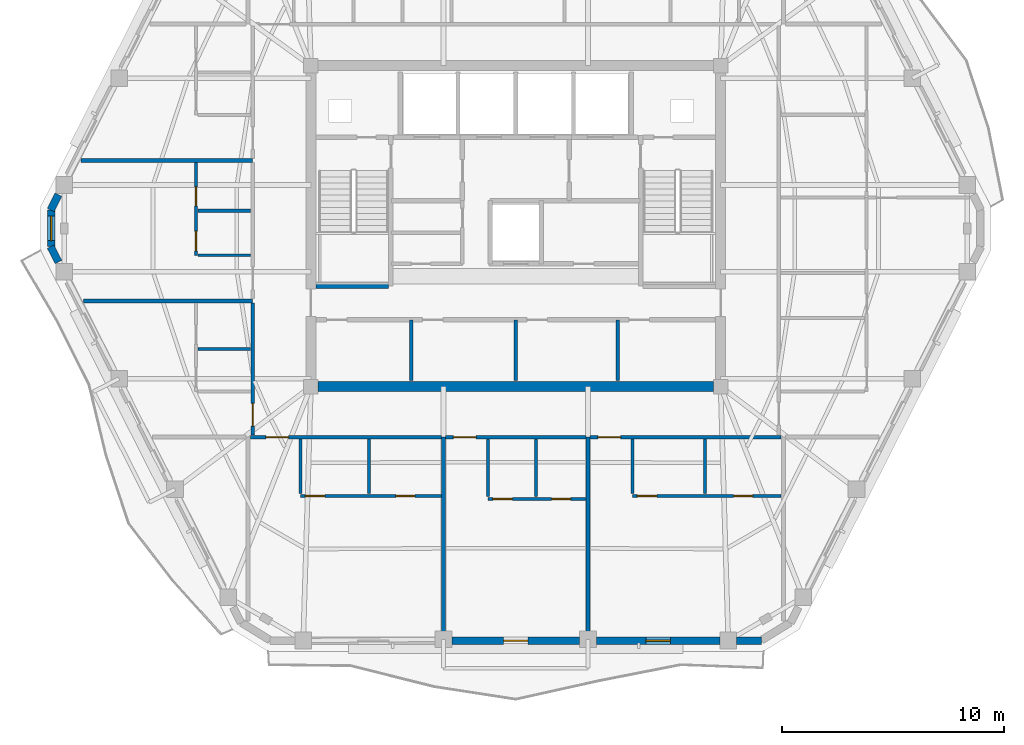
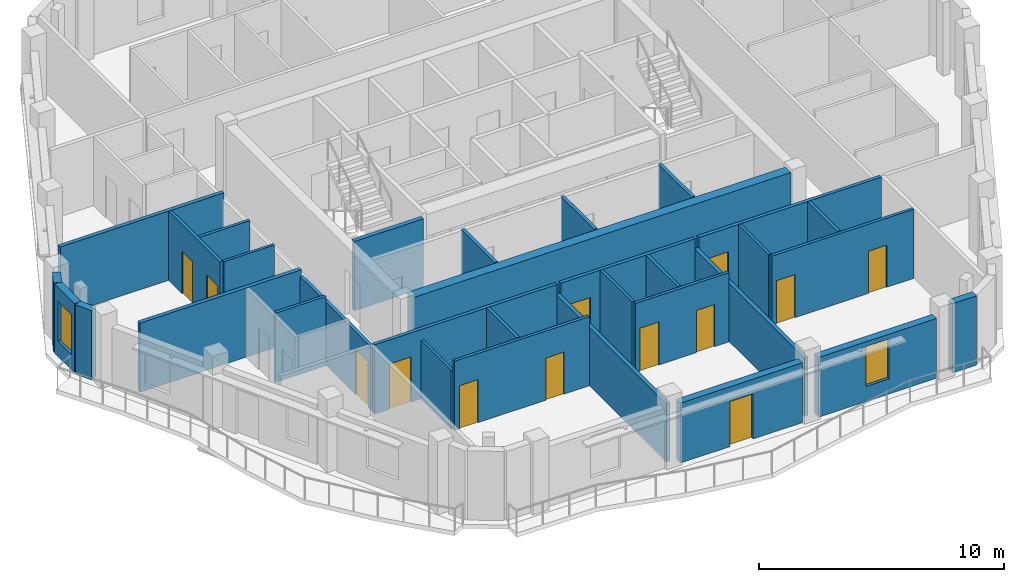
# One storey, part 4 of 11: 32 walls, 13 doors, 2 windows, 15 openings.
"""IFC4 building model written with IfcOpenShell, lengths in metres."""

from ifc_helpers import new_model, si_unit, direction, frame, frame_2d, origin, place, context, subcontext, project, spatial, rectangle, extrude, material, layer, layer_set, type_object, element, fill, save


model = new_model("IFC4")

# Units and contexts
model_context = context("Model", 3, precision=1e-05, world=origin(), true_north=direction((0.0, 1.0)))
body_context = subcontext(model_context, "Body", "Model", "MODEL_VIEW")
ifc_project = project(units=[si_unit("LENGTHUNIT", "METRE"), si_unit("AREAUNIT", "SQUARE_METRE"), si_unit("VOLUMEUNIT", "CUBIC_METRE"), si_unit("PLANEANGLEUNIT", "RADIAN"), si_unit("MASSUNIT", "GRAM", prefix="KILO")], contexts=[model_context])

# Site, building, storey
site_placement = place(None, origin())
site = spatial("IfcSite", under=ifc_project, at=site_placement, CompositionType="ELEMENT")
building_placement = place(site_placement, origin())
building = spatial("IfcBuilding", under=site, at=building_placement, Name="Cinnabar Lancet Tower", CompositionType="ELEMENT")
storey_placement = place(building_placement, frame((0.0, 0.0, 245.25)))
storey = spatial("IfcBuildingStorey", under=building, at=storey_placement, Name="L65", CompositionType="ELEMENT", Elevation=245.25)

# Walls
ifc_material_1 = material(Name="Acoustic twin-stud gypsum partition", Category="gypsum")
ifc_layer_1 = layer(ifc_material_1, 0.159912109375)
ifc_layer_set_1 = layer_set([ifc_layer_1], Name="Acoustic twin-stud gypsum partition")
wall_type_1 = type_object("IfcWallType", Name="ARC-WL-CORR-160", PredefinedType="PARTITIONING", material=ifc_layer_set_1)
for number, where, z_axis, x_axis, name in (
    (1, (27.699951171875, 18.949951171875, 0.0), (0.0, 0.0, 1.0), (0.0, 1.0, 0.0), "CW-SB-2770-L65"),
    (2, (32.39990234375, 18.949951171875, 0.0), (0.0, 0.0, 1.0), (0.0, 1.0, 0.0), "CW-SB-3240-L65"),
    (3, (37.0, 18.949951171875, 0.0), (0.0, 0.0, 1.0), (0.0, 1.0, 0.0), "CW-SB-3700-L65"),
):
    element("IfcWall", number, at=place(storey_placement, frame(where, z_axis=z_axis, x_axis=x_axis)), inside=storey, type_object=wall_type_1, Name=name, PredefinedType="PARTITIONING", context=body_context, shape_type="SweptSolid", body=[
        extrude(rectangle(XDim=2.72998046875, YDim=0.159912109375, at=frame_2d((1.364990234375, 0.0))), origin(), (0.0, 0.0, 1.0), 3.449951171875),
    ])

# Wall, opening, door
wall_1_placement = place(storey_placement, frame((20.445068359375, 16.39990234375, 0.0), z_axis=(0.0, 0.0, 1.0), x_axis=(1.0, 0.0, 0.0)))
wall_1 = element("IfcWall", 4, at=wall_1_placement, inside=storey, type_object=wall_type_1, Name="L65 Unit S01 Corridor Wall", PredefinedType="PARTITIONING", context=body_context, shape_type="SweptSolid", body=[
    extrude(rectangle(XDim=8.60595703125, YDim=0.159912109375, at=frame_2d((4.302978515625, 0.0))), origin(), (0.0, 0.0, 1.0), 3.449951171875),
])
opening_1_placement = place(wall_1_placement, frame((0.705078125, 0.0, 0.0)))
opening_1 = element("IfcOpeningElement", 5, at=opening_1_placement, cuts=wall_1, Name="Opening UD-01", PredefinedType="OPENING", context=body_context, shape_type="SweptSolid", body=[
    extrude(rectangle(XDim=1.02001953125, YDim=2.25, at=frame_2d((0.510009765625, 1.125))), frame((0.0, 0.08984375, 0.0), z_axis=(0.0, -1.0, 0.0), x_axis=(1.0, 0.0, 0.0)), (0.0, 0.0, 1.0), 0.179931640625),
])
ifc_material_2 = material(Name="Solid timber fire-rated apartment entrance door", Category="wood")
door_type_1 = type_object("IfcDoorType", Name="ARC-DR-UNIT", OperationType="NOTDEFINED", PredefinedType="DOOR", material=ifc_material_2)
door_1_placement = place(opening_1_placement, origin())
door_1 = element("IfcDoor", 6, at=door_1_placement, inside=storey, type_object=door_type_1, Name="DR-L65-S01-ENT", OperationType="SINGLE_SWING_RIGHT", OverallHeight=2.25, OverallWidth=1.02001953125, PredefinedType="DOOR", context=body_context, shape_type="SweptSolid", body=[
    extrude(rectangle(XDim=1.02001953125, YDim=2.25, at=frame_2d((0.510009765625, 1.125))), frame((0.0, 0.02490234375, 0.0), z_axis=(0.0, -1.0, 0.0), x_axis=(1.0, 0.0, 0.0)), (0.0, 0.0, 1.0), 0.050048828125),
])
fill(opening_1, door_1)

wall_2_placement = place(storey_placement, frame((29.240966796875, 16.39990234375, 0.0), z_axis=(0.0, 0.0, 1.0), x_axis=(1.0, 0.0, 0.0)))
wall_2 = element("IfcWall", 7, at=wall_2_placement, inside=storey, type_object=wall_type_1, Name="L65 Unit S02 Corridor Wall", PredefinedType="PARTITIONING", context=body_context, shape_type="SweptSolid", body=[
    extrude(rectangle(XDim=6.318115234375, YDim=0.159912109375, at=frame_2d((3.1591796875, 0.0))), origin(), (0.0, 0.0, 1.0), 3.449951171875),
])
opening_2_placement = place(wall_2_placement, frame((0.35498046875, 0.0, 0.0)))
opening_2 = element("IfcOpeningElement", 8, at=opening_2_placement, cuts=wall_2, Name="Opening UD-01", PredefinedType="OPENING", context=body_context, shape_type="SweptSolid", body=[
    extrude(rectangle(XDim=1.02001953125, YDim=2.25, at=frame_2d((0.510009765625, 1.125))), frame((0.0, 0.08984375, 0.0), z_axis=(0.0, -1.0, 0.0), x_axis=(1.0, 0.0, 0.0)), (0.0, 0.0, 1.0), 0.179931640625),
])
door_2_placement = place(opening_2_placement, origin())
door_2 = element("IfcDoor", 9, at=door_2_placement, inside=storey, type_object=door_type_1, Name="DR-L65-S02-ENT", OperationType="SINGLE_SWING_LEFT", OverallHeight=2.25, OverallWidth=1.02001953125, PredefinedType="DOOR", context=body_context, shape_type="SweptSolid", body=[
    extrude(rectangle(XDim=1.02001953125, YDim=2.25, at=frame_2d((0.510009765625, 1.125))), frame((0.0, 0.02490234375, 0.0), z_axis=(0.0, -1.0, 0.0), x_axis=(1.0, 0.0, 0.0)), (0.0, 0.0, 1.0), 0.050048828125),
])
fill(opening_2, door_2)

wall_3_placement = place(storey_placement, frame((35.7490234375, 16.39990234375, 0.0), z_axis=(0.0, 0.0, 1.0), x_axis=(1.0, 0.0, 0.0)))
wall_3 = element("IfcWall", 10, at=wall_3_placement, inside=storey, type_object=wall_type_1, Name="L65 Unit S03 Corridor Wall", PredefinedType="PARTITIONING", context=body_context, shape_type="SweptSolid", body=[
    extrude(rectangle(XDim=8.60595703125, YDim=0.159912109375, at=frame_2d((4.302978515625, 0.0))), origin(), (0.0, 0.0, 1.0), 3.449951171875),
])
opening_3_placement = place(wall_3_placement, frame((0.35498046875, 0.0, 0.0)))
opening_3 = element("IfcOpeningElement", 11, at=opening_3_placement, cuts=wall_3, Name="Opening UD-01", PredefinedType="OPENING", context=body_context, shape_type="SweptSolid", body=[
    extrude(rectangle(XDim=1.02001953125, YDim=2.25, at=frame_2d((0.510009765625, 1.125))), frame((0.0, 0.08984375, 0.0), z_axis=(0.0, -1.0, 0.0), x_axis=(1.0, 0.0, 0.0)), (0.0, 0.0, 1.0), 0.179931640625),
])
door_3_placement = place(opening_3_placement, origin())
door_3 = element("IfcDoor", 12, at=door_3_placement, inside=storey, type_object=door_type_1, Name="DR-L65-S03-ENT", OperationType="SINGLE_SWING_RIGHT", OverallHeight=2.25, OverallWidth=1.02001953125, PredefinedType="DOOR", context=body_context, shape_type="SweptSolid", body=[
    extrude(rectangle(XDim=1.02001953125, YDim=2.25, at=frame_2d((0.510009765625, 1.125))), frame((0.0, 0.02490234375, 0.0), z_axis=(0.0, -1.0, 0.0), x_axis=(1.0, 0.0, 0.0)), (0.0, 0.0, 1.0), 0.050048828125),
])
fill(opening_3, door_3)

wall_4_placement = place(storey_placement, frame((20.550048828125, 16.4951171875, 0.0), z_axis=(0.0, 0.0, 1.0), x_axis=(0.0, 1.0, 0.0)))
wall_4 = element("IfcWall", 13, at=wall_4_placement, inside=storey, type_object=wall_type_1, Name="UW-L65-W01-COR", PredefinedType="PARTITIONING", context=body_context, shape_type="SweptSolid", body=[
    extrude(rectangle(XDim=5.947998046875, YDim=0.159912109375, at=frame_2d((2.97412109375, 0.0))), origin(), (0.0, 0.0, 1.0), 3.136962890625),
])
opening_4_placement = place(wall_4_placement, frame((0.39990234375, 0.0, 0.0)))
opening_4 = element("IfcOpeningElement", 14, at=opening_4_placement, cuts=wall_4, Name="Opening UD-01", PredefinedType="OPENING", context=body_context, shape_type="SweptSolid", body=[
    extrude(rectangle(XDim=1.02001953125, YDim=2.25, at=frame_2d((0.510009765625, 1.125))), frame((0.0, 0.08984375, 0.0), z_axis=(0.0, -1.0, 0.0), x_axis=(1.0, 0.0, 0.0)), (0.0, 0.0, 1.0), 0.179931640625),
])
door_4_placement = place(opening_4_placement, origin())
door_4 = element("IfcDoor", 15, at=door_4_placement, inside=storey, type_object=door_type_1, Name="DR-L65-W01-ENT", OperationType="SINGLE_SWING_RIGHT", OverallHeight=2.25, OverallWidth=1.02001953125, PredefinedType="DOOR", context=body_context, shape_type="SweptSolid", body=[
    extrude(rectangle(XDim=1.02001953125, YDim=2.25, at=frame_2d((0.510009765625, 1.125))), frame((0.0, 0.02490234375, 0.0), z_axis=(0.0, -1.0, 0.0), x_axis=(1.0, 0.0, 0.0)), (0.0, 0.0, 1.0), 0.050048828125),
])
fill(opening_4, door_4)

# Walls
ifc_material_3 = material(Name="Fire-rated twin-frame acoustic drywall", Category="gypsum")
ifc_layer_2 = layer(ifc_material_3, 0.179931640625)
ifc_layer_set_2 = layer_set([ifc_layer_2], Name="Fire-rated twin-frame acoustic drywall")
wall_type_2 = type_object("IfcWallType", Name="ARC-WL-PARTY-180", PredefinedType="PARTITIONING", material=ifc_layer_set_2)
for number, where, z_axis, x_axis, name in (
    (16, (29.14599609375, 7.405029296875, 0.0), (0.0, 0.0, 1.0), (0.0, 1.0, 0.0), "PW-L65-SPTY-291"),
    (17, (35.654052734375, 7.405029296875, 0.0), (0.0, 0.0, 1.0), (0.0, 1.0, 0.0), "PW-L65-SPTY-357"),
):
    element("IfcWall", number, at=place(storey_placement, frame(where, z_axis=z_axis, x_axis=x_axis)), inside=storey, type_object=wall_type_2, Name=name, PredefinedType="PARTITIONING", context=body_context, shape_type="SweptSolid", body=[
        extrude(rectangle(XDim=8.994873046875, YDim=0.179931640625, at=frame_2d((4.49755859375, 0.0))), origin(), (0.0, 0.0, 1.0), 2.906982421875),
    ])
wall_5_placement = place(storey_placement, frame((12.929931640625, 22.5380859375, 0.0), z_axis=(0.0, 0.0, 1.0), x_axis=(1.0, 0.0, 0.0)))
element("IfcWall", 18, at=wall_5_placement, inside=storey, type_object=wall_type_2, Name="PW-L65-WPTY-1", PredefinedType="PARTITIONING", context=body_context, shape_type="SweptSolid", body=[
    extrude(rectangle(XDim=7.6201171875, YDim=0.179931640625, at=frame_2d((3.81005859375, 0.0))), origin(), (0.0, 0.0, 1.0), 3.449951171875),
])
wall_6_placement = place(storey_placement, frame((12.8291015625, 28.862060546875, 0.0), z_axis=(0.0, 0.0, 1.0), x_axis=(1.0, 0.0, 0.0)))
element("IfcWall", 19, at=wall_6_placement, inside=storey, type_object=wall_type_2, Name="PW-L65-WPTY-2", PredefinedType="PARTITIONING", context=body_context, shape_type="SweptSolid", body=[
    extrude(rectangle(XDim=7.720947265625, YDim=0.179931640625, at=frame_2d((3.8603515625, 0.0))), origin(), (0.0, 0.0, 1.0), 3.449951171875),
])
ifc_material_4 = material(Name="Autoclaved aerated concrete blockwork", Category="masonry")
ifc_layer_3 = layer(ifc_material_4, 0.199951171875)
ifc_layer_set_3 = layer_set([ifc_layer_3], Name="Autoclaved aerated concrete blockwork")
wall_type_3 = type_object("IfcWallType", Name="ARC-WL-SHAFT-200", PredefinedType="PLUMBINGWALL", material=ifc_layer_set_3)
wall_7_placement = place(storey_placement, frame((23.405029296875, 23.199951171875, 0.0), z_axis=(0.0, 0.0, 1.0), x_axis=(1.0, 0.0, 0.0)))
element("IfcWall", 20, at=wall_7_placement, inside=storey, type_object=wall_type_3, Name="CW-ST1S-L65", PredefinedType="PLUMBINGWALL", context=body_context, shape_type="SweptSolid", body=[
    extrude(rectangle(XDim=3.27001953125, YDim=0.199951171875, at=frame_2d((1.635009765625, 0.0))), origin(), (0.0, 0.0, 1.0), 3.449951171875),
])
ifc_material_5 = material(Name="Gypsum plasterboard stud partition", Category="gypsum")
ifc_layer_4 = layer(ifc_material_5, 0.125)
ifc_layer_set_4 = layer_set([ifc_layer_4], Name="Gypsum plasterboard stud partition")
wall_type_4 = type_object("IfcWallType", Name="ARC-WL-UNIT-125", PredefinedType="PARTITIONING", material=ifc_layer_set_4)
wall_8_placement = place(storey_placement, frame((22.699951171875, 13.85498046875, 0.0), z_axis=(0.0, 0.0, 1.0), x_axis=(0.0, 1.0, 0.0)))
element("IfcWall", 21, at=wall_8_placement, inside=storey, type_object=wall_type_4, Name="UW-L65-S01-FOYE", PredefinedType="PARTITIONING", context=body_context, shape_type="SweptSolid", body=[
    extrude(rectangle(XDim=2.4599609375, YDim=0.125, at=frame_2d((1.22998046875, 0.0))), origin(), (0.0, 0.0, 1.0), 2.906982421875),
])
wall_9_placement = place(storey_placement, frame((31.14599609375, 13.717041015625, 0.0), z_axis=(0.0, 0.0, 1.0), x_axis=(0.0, 1.0, 0.0)))
element("IfcWall", 22, at=wall_9_placement, inside=storey, type_object=wall_type_4, Name="UW-L65-S02-FOYE", PredefinedType="PARTITIONING", context=body_context, shape_type="SweptSolid", body=[
    extrude(rectangle(XDim=2.597900390625, YDim=0.125, at=frame_2d((1.298828125, 0.0))), origin(), (0.0, 0.0, 1.0), 3.449951171875),
])
wall_10_placement = place(storey_placement, frame((37.654052734375, 13.85498046875, 0.0), z_axis=(0.0, 0.0, 1.0), x_axis=(0.0, 1.0, 0.0)))
element("IfcWall", 23, at=wall_10_placement, inside=storey, type_object=wall_type_4, Name="UW-L65-S03-FOYE", PredefinedType="PARTITIONING", context=body_context, shape_type="SweptSolid", body=[
    extrude(rectangle(XDim=2.4599609375, YDim=0.125, at=frame_2d((1.22998046875, 0.0))), origin(), (0.0, 0.0, 1.0), 3.449951171875),
])
wall_11_placement = place(storey_placement, frame((18.0849609375, 24.587890625, 0.0), z_axis=(0.0, 0.0, 1.0), x_axis=(1.0, 0.0, 0.0)))
element("IfcWall", 24, at=wall_11_placement, inside=storey, type_object=wall_type_4, Name="UW-L65-W02-FOYN", PredefinedType="PARTITIONING", context=body_context, shape_type="SweptSolid", body=[
    extrude(rectangle(XDim=2.380126953125, YDim=0.125, at=frame_2d((1.18994140625, 0.0))), origin(), (0.0, 0.0, 1.0), 3.449951171875),
])

# Wall, openings, doors
ifc_material_6 = material(Name="Moisture-resistant cement-board plumbing wall", Category="masonry")
ifc_layer_5 = layer(ifc_material_6, 0.139892578125)
ifc_layer_set_5 = layer_set([ifc_layer_5], Name="Moisture-resistant cement-board plumbing wall")
wall_type_5 = type_object("IfcWallType", Name="ARC-WL-WET-140", PredefinedType="PLUMBINGWALL", material=ifc_layer_set_5)
wall_12_placement = place(storey_placement, frame((22.699951171875, 13.75, 0.0), z_axis=(0.0, 0.0, 1.0), x_axis=(1.0, 0.0, 0.0)))
wall_12 = element("IfcWall", 25, at=wall_12_placement, inside=storey, type_object=wall_type_5, Name="UW-L65-S01-SPL", PredefinedType="PLUMBINGWALL", context=body_context, shape_type="SweptSolid", body=[
    extrude(rectangle(XDim=6.35107421875, YDim=0.139892578125, at=frame_2d((3.175537109375, 0.0))), origin(), (0.0, 0.0, 1.0), 3.449951171875),
])
opening_5_placement = place(wall_12_placement, frame((4.298095703125, 0.0, 0.0)))
opening_5 = element("IfcOpeningElement", 26, at=opening_5_placement, cuts=wall_12, Name="Opening BD-01", PredefinedType="OPENING", context=body_context, shape_type="SweptSolid", body=[
    extrude(rectangle(XDim=0.860107421875, YDim=2.10009765625, at=frame_2d((0.43017578125, 1.050048828125))), frame((0.0, 0.079833984375, 0.0), z_axis=(0.0, -1.0, 0.0), x_axis=(1.0, 0.0, 0.0)), (0.0, 0.0, 1.0), 0.159912109375),
])
opening_6_placement = place(wall_12_placement, frame((0.219970703125, 0.0, 0.0)))
opening_6 = element("IfcOpeningElement", 27, at=opening_6_placement, cuts=wall_12, Name="Opening RD-02", PredefinedType="OPENING", context=body_context, shape_type="SweptSolid", body=[
    extrude(rectangle(XDim=0.8798828125, YDim=2.14990234375, at=frame_2d((0.43994140625, 1.074951171875))), frame((0.0, 0.079833984375, 0.0), z_axis=(0.0, -1.0, 0.0), x_axis=(1.0, 0.0, 0.0)), (0.0, 0.0, 1.0), 0.159912109375),
])
ifc_material_7 = material(Name="Moisture-resistant timber bathroom door", Category="wood")
door_type_2 = type_object("IfcDoorType", Name="ARC-DR-BATH", OperationType="NOTDEFINED", PredefinedType="DOOR", material=ifc_material_7)
door_5_placement = place(opening_5_placement, origin())
door_5 = element("IfcDoor", 28, at=door_5_placement, inside=storey, type_object=door_type_2, Name="DR-L65-S01-BTH", OperationType="SINGLE_SWING_RIGHT", OverallHeight=2.10009765625, OverallWidth=0.860107421875, PredefinedType="DOOR", context=body_context, shape_type="SweptSolid", body=[
    extrude(rectangle(XDim=0.860107421875, YDim=2.10009765625, at=frame_2d((0.43017578125, 1.050048828125))), frame((0.0, 0.02490234375, 0.0), z_axis=(0.0, -1.0, 0.0), x_axis=(1.0, 0.0, 0.0)), (0.0, 0.0, 1.0), 0.050048828125),
])
fill(opening_5, door_5)
ifc_material_8 = material(Name="Engineered timber study door", Category="wood")
door_type_3 = type_object("IfcDoorType", Name="ARC-DR-STUDY", OperationType="NOTDEFINED", PredefinedType="DOOR", material=ifc_material_8)
door_6_placement = place(opening_6_placement, origin())
door_6 = element("IfcDoor", 29, at=door_6_placement, inside=storey, type_object=door_type_3, Name="DR-L65-S01-KIT", OperationType="SINGLE_SWING_LEFT", OverallHeight=2.14990234375, OverallWidth=0.8798828125, PredefinedType="DOOR", context=body_context, shape_type="SweptSolid", body=[
    extrude(rectangle(XDim=0.8798828125, YDim=2.14990234375, at=frame_2d((0.43994140625, 1.074951171875))), frame((0.0, 0.02490234375, 0.0), z_axis=(0.0, -1.0, 0.0), x_axis=(1.0, 0.0, 0.0)), (0.0, 0.0, 1.0), 0.050048828125),
])
fill(opening_6, door_6)

# Wall
wall_13_placement = place(storey_placement, frame((25.7939453125, 13.85498046875, 0.0), z_axis=(0.0, 0.0, 1.0), x_axis=(0.0, 1.0, 0.0)))
element("IfcWall", 30, at=wall_13_placement, inside=storey, type_object=wall_type_5, Name="UW-L65-S01-KDV", PredefinedType="PLUMBINGWALL", context=body_context, shape_type="SweptSolid", body=[
    extrude(rectangle(XDim=2.4599609375, YDim=0.139892578125, at=frame_2d((1.22998046875, 0.0))), origin(), (0.0, 0.0, 1.0), 3.449951171875),
])

# Wall, openings, doors
wall_14_placement = place(storey_placement, frame((31.14599609375, 13.612060546875, 0.0), z_axis=(0.0, 0.0, 1.0), x_axis=(1.0, 0.0, 0.0)))
wall_14 = element("IfcWall", 31, at=wall_14_placement, inside=storey, type_object=wall_type_5, Name="UW-L65-S02-SPL", PredefinedType="PLUMBINGWALL", context=body_context, shape_type="SweptSolid", body=[
    extrude(rectangle(XDim=4.4130859375, YDim=0.139892578125, at=frame_2d((2.20654296875, 0.0))), origin(), (0.0, 0.0, 1.0), 3.449951171875),
])
opening_7_placement = place(wall_14_placement, frame((2.864013671875, 0.0, 0.0)))
opening_7 = element("IfcOpeningElement", 32, at=opening_7_placement, cuts=wall_14, Name="Opening BD-01", PredefinedType="OPENING", context=body_context, shape_type="SweptSolid", body=[
    extrude(rectangle(XDim=0.860107421875, YDim=2.10009765625, at=frame_2d((0.43017578125, 1.050048828125))), frame((0.0, 0.079833984375, 0.0), z_axis=(0.0, -1.0, 0.0), x_axis=(1.0, 0.0, 0.0)), (0.0, 0.0, 1.0), 0.159912109375),
])
opening_8_placement = place(wall_14_placement, frame((0.219970703125, 0.0, 0.0)))
opening_8 = element("IfcOpeningElement", 33, at=opening_8_placement, cuts=wall_14, Name="Opening RD-02", PredefinedType="OPENING", context=body_context, shape_type="SweptSolid", body=[
    extrude(rectangle(XDim=0.8798828125, YDim=2.14990234375, at=frame_2d((0.43994140625, 1.074951171875))), frame((0.0, 0.079833984375, 0.0), z_axis=(0.0, -1.0, 0.0), x_axis=(1.0, 0.0, 0.0)), (0.0, 0.0, 1.0), 0.159912109375),
])
door_7_placement = place(opening_7_placement, origin())
door_7 = element("IfcDoor", 34, at=door_7_placement, inside=storey, type_object=door_type_2, Name="DR-L65-S02-BTH", OperationType="SINGLE_SWING_LEFT", OverallHeight=2.10009765625, OverallWidth=0.860107421875, PredefinedType="DOOR", context=body_context, shape_type="SweptSolid", body=[
    extrude(rectangle(XDim=0.860107421875, YDim=2.10009765625, at=frame_2d((0.43017578125, 1.050048828125))), frame((0.0, 0.02490234375, 0.0), z_axis=(0.0, -1.0, 0.0), x_axis=(1.0, 0.0, 0.0)), (0.0, 0.0, 1.0), 0.050048828125),
])
fill(opening_7, door_7)
door_8_placement = place(opening_8_placement, origin())
door_8 = element("IfcDoor", 35, at=door_8_placement, inside=storey, type_object=door_type_3, Name="DR-L65-S02-KIT", OperationType="SINGLE_SWING_RIGHT", OverallHeight=2.14990234375, OverallWidth=0.8798828125, PredefinedType="DOOR", context=body_context, shape_type="SweptSolid", body=[
    extrude(rectangle(XDim=0.8798828125, YDim=2.14990234375, at=frame_2d((0.43994140625, 1.074951171875))), frame((0.0, 0.02490234375, 0.0), z_axis=(0.0, -1.0, 0.0), x_axis=(1.0, 0.0, 0.0)), (0.0, 0.0, 1.0), 0.050048828125),
])
fill(opening_8, door_8)

# Wall
wall_15_placement = place(storey_placement, frame((33.31005859375, 13.717041015625, 0.0), z_axis=(0.0, 0.0, 1.0), x_axis=(0.0, 1.0, 0.0)))
element("IfcWall", 36, at=wall_15_placement, inside=storey, type_object=wall_type_5, Name="UW-L65-S02-KDV", PredefinedType="PLUMBINGWALL", context=body_context, shape_type="SweptSolid", body=[
    extrude(rectangle(XDim=2.597900390625, YDim=0.139892578125, at=frame_2d((1.298828125, 0.0))), origin(), (0.0, 0.0, 1.0), 3.449951171875),
])

# Wall, openings, doors
wall_16_placement = place(storey_placement, frame((37.654052734375, 13.75, 0.0), z_axis=(0.0, 0.0, 1.0), x_axis=(1.0, 0.0, 0.0)))
wall_16 = element("IfcWall", 37, at=wall_16_placement, inside=storey, type_object=wall_type_5, Name="UW-L65-S03-SPL", PredefinedType="PLUMBINGWALL", context=body_context, shape_type="SweptSolid", body=[
    extrude(rectangle(XDim=6.700927734375, YDim=0.139892578125, at=frame_2d((3.3505859375, 0.0))), origin(), (0.0, 0.0, 1.0), 3.449951171875),
])
opening_9_placement = place(wall_16_placement, frame((4.555908203125, 0.0, 0.0)))
opening_9 = element("IfcOpeningElement", 38, at=opening_9_placement, cuts=wall_16, Name="Opening BD-01", PredefinedType="OPENING", context=body_context, shape_type="SweptSolid", body=[
    extrude(rectangle(XDim=0.860107421875, YDim=2.10009765625, at=frame_2d((0.43017578125, 1.050048828125))), frame((0.0, 0.079833984375, 0.0), z_axis=(0.0, -1.0, 0.0), x_axis=(1.0, 0.0, 0.0)), (0.0, 0.0, 1.0), 0.159912109375),
])
opening_10_placement = place(wall_16_placement, frame((0.219970703125, 0.0, 0.0)))
opening_10 = element("IfcOpeningElement", 39, at=opening_10_placement, cuts=wall_16, Name="Opening RD-02", PredefinedType="OPENING", context=body_context, shape_type="SweptSolid", body=[
    extrude(rectangle(XDim=0.8798828125, YDim=2.14990234375, at=frame_2d((0.43994140625, 1.074951171875))), frame((0.0, 0.079833984375, 0.0), z_axis=(0.0, -1.0, 0.0), x_axis=(1.0, 0.0, 0.0)), (0.0, 0.0, 1.0), 0.159912109375),
])
door_9_placement = place(opening_9_placement, origin())
door_9 = element("IfcDoor", 40, at=door_9_placement, inside=storey, type_object=door_type_2, Name="DR-L65-S03-BTH", OperationType="SINGLE_SWING_RIGHT", OverallHeight=2.10009765625, OverallWidth=0.860107421875, PredefinedType="DOOR", context=body_context, shape_type="SweptSolid", body=[
    extrude(rectangle(XDim=0.860107421875, YDim=2.10009765625, at=frame_2d((0.43017578125, 1.050048828125))), frame((0.0, 0.02490234375, 0.0), z_axis=(0.0, -1.0, 0.0), x_axis=(1.0, 0.0, 0.0)), (0.0, 0.0, 1.0), 0.050048828125),
])
fill(opening_9, door_9)
door_10_placement = place(opening_10_placement, origin())
door_10 = element("IfcDoor", 41, at=door_10_placement, inside=storey, type_object=door_type_3, Name="DR-L65-S03-KIT", OperationType="SINGLE_SWING_LEFT", OverallHeight=2.14990234375, OverallWidth=0.8798828125, PredefinedType="DOOR", context=body_context, shape_type="SweptSolid", body=[
    extrude(rectangle(XDim=0.8798828125, YDim=2.14990234375, at=frame_2d((0.43994140625, 1.074951171875))), frame((0.0, 0.02490234375, 0.0), z_axis=(0.0, -1.0, 0.0), x_axis=(1.0, 0.0, 0.0)), (0.0, 0.0, 1.0), 0.050048828125),
])
fill(opening_10, door_10)

# Walls
wall_17_placement = place(storey_placement, frame((40.916015625, 13.85498046875, 0.0), z_axis=(0.0, 0.0, 1.0), x_axis=(0.0, 1.0, 0.0)))
element("IfcWall", 42, at=wall_17_placement, inside=storey, type_object=wall_type_5, Name="UW-L65-S03-KDV", PredefinedType="PLUMBINGWALL", context=body_context, shape_type="SweptSolid", body=[
    extrude(rectangle(XDim=2.4599609375, YDim=0.139892578125, at=frame_2d((1.22998046875, 0.0))), origin(), (0.0, 0.0, 1.0), 3.449951171875),
])
wall_18_placement = place(storey_placement, frame((18.0849609375, 20.366943359375, 0.0), z_axis=(0.0, 0.0, 1.0), x_axis=(1.0, 0.0, 0.0)))
element("IfcWall", 43, at=wall_18_placement, inside=storey, type_object=wall_type_5, Name="UW-L65-W01-KDV", PredefinedType="PLUMBINGWALL", context=body_context, shape_type="SweptSolid", body=[
    extrude(rectangle(XDim=2.380126953125, YDim=0.139892578125, at=frame_2d((1.18994140625, 0.0))), origin(), (0.0, 0.0, 1.0), 3.449951171875),
])

# Wall, openings, doors
wall_19_placement = place(storey_placement, frame((18.0, 24.587890625, 0.0), z_axis=(0.0, 0.0, 1.0), x_axis=(0.0, 1.0, 0.0)))
wall_19 = element("IfcWall", 44, at=wall_19_placement, inside=storey, type_object=wall_type_5, Name="UW-L65-W02-SPL", PredefinedType="PLUMBINGWALL", context=body_context, shape_type="SweptSolid", body=[
    extrude(rectangle(XDim=4.17919921875, YDim=0.139892578125, at=frame_2d((2.089599609375, 0.0))), origin(), (0.0, 0.0, 1.0), 3.449951171875),
])
opening_11_placement = place(wall_19_placement, frame((2.22607421875, 0.0, 0.0)))
opening_11 = element("IfcOpeningElement", 45, at=opening_11_placement, cuts=wall_19, Name="Opening BD-01", PredefinedType="OPENING", context=body_context, shape_type="SweptSolid", body=[
    extrude(rectangle(XDim=0.860107421875, YDim=2.10009765625, at=frame_2d((0.43017578125, 1.050048828125))), frame((0.0, 0.079833984375, 0.0), z_axis=(0.0, -1.0, 0.0), x_axis=(1.0, 0.0, 0.0)), (0.0, 0.0, 1.0), 0.159912109375),
])
opening_12_placement = place(wall_19_placement, frame((0.199951171875, 0.0, 0.0)))
opening_12 = element("IfcOpeningElement", 46, at=opening_12_placement, cuts=wall_19, Name="Opening RD-02", PredefinedType="OPENING", context=body_context, shape_type="SweptSolid", body=[
    extrude(rectangle(XDim=0.8798828125, YDim=2.14990234375, at=frame_2d((0.43994140625, 1.074951171875))), frame((0.0, 0.079833984375, 0.0), z_axis=(0.0, -1.0, 0.0), x_axis=(1.0, 0.0, 0.0)), (0.0, 0.0, 1.0), 0.159912109375),
])
door_11_placement = place(opening_11_placement, origin())
door_11 = element("IfcDoor", 47, at=door_11_placement, inside=storey, type_object=door_type_2, Name="DR-L65-W02-BTH", OperationType="SINGLE_SWING_LEFT", OverallHeight=2.10009765625, OverallWidth=0.860107421875, PredefinedType="DOOR", context=body_context, shape_type="SweptSolid", body=[
    extrude(rectangle(XDim=0.860107421875, YDim=2.10009765625, at=frame_2d((0.43017578125, 1.050048828125))), frame((0.0, 0.02490234375, 0.0), z_axis=(0.0, -1.0, 0.0), x_axis=(1.0, 0.0, 0.0)), (0.0, 0.0, 1.0), 0.050048828125),
])
fill(opening_11, door_11)
door_12_placement = place(opening_12_placement, origin())
door_12 = element("IfcDoor", 48, at=door_12_placement, inside=storey, type_object=door_type_3, Name="DR-L65-W02-KIT", OperationType="SINGLE_SWING_RIGHT", OverallHeight=2.14990234375, OverallWidth=0.8798828125, PredefinedType="DOOR", context=body_context, shape_type="SweptSolid", body=[
    extrude(rectangle(XDim=0.8798828125, YDim=2.14990234375, at=frame_2d((0.43994140625, 1.074951171875))), frame((0.0, 0.02490234375, 0.0), z_axis=(0.0, -1.0, 0.0), x_axis=(1.0, 0.0, 0.0)), (0.0, 0.0, 1.0), 0.050048828125),
])
fill(opening_12, door_12)

# Wall
wall_20_placement = place(storey_placement, frame((18.0849609375, 26.593994140625, 0.0), z_axis=(0.0, 0.0, 1.0), x_axis=(1.0, 0.0, 0.0)))
element("IfcWall", 49, at=wall_20_placement, inside=storey, type_object=wall_type_5, Name="UW-L65-W02-KDV", PredefinedType="PLUMBINGWALL", context=body_context, shape_type="SweptSolid", body=[
    extrude(rectangle(XDim=2.380126953125, YDim=0.139892578125, at=frame_2d((1.18994140625, 0.0))), origin(), (0.0, 0.0, 1.0), 3.449951171875),
])

# Wall, opening, window
ifc_material_9 = material(Name="Cinnabar red clay brick", Category="masonry")
ifc_layer_6 = layer(ifc_material_9, 0.340087890625)
ifc_layer_set_6 = layer_set([ifc_layer_6], Name="Cinnabar red clay brick")
wall_type_6 = type_object("IfcWallType", Name="ENV-WL-BRK-RED-340", PredefinedType="STANDARD", material=ifc_layer_set_6)
wall_21_placement = place(storey_placement, frame((11.47705078125, 26.6201171875, 0.0), z_axis=(0.0, 0.0, 1.0), x_axis=(0.0, -1.0, 0.0)))
wall_21 = element("IfcWall", 50, at=wall_21_placement, inside=storey, type_object=wall_type_6, Name="L65 Chamfered Corner Brick Pier 6.1", PredefinedType="STANDARD", context=body_context, shape_type="SweptSolid", body=[
    extrude(rectangle(XDim=1.64013671875, YDim=0.340087890625, at=frame_2d((0.820068359375, 0.0))), origin(), (0.0, 0.0, 1.0), 3.449951171875),
])
opening_13_placement = place(wall_21_placement, frame((0.27001953125, 0.0, 0.75)))
opening_13 = element("IfcOpeningElement", 51, at=opening_13_placement, cuts=wall_21, Name="Opening WN-04", PredefinedType="OPENING", context=body_context, shape_type="SweptSolid", body=[
    extrude(rectangle(XDim=1.10009765625, YDim=2.0, at=frame_2d((0.550048828125, 1.0))), frame((0.0, 0.179931640625, 0.0), z_axis=(0.0, -1.0, 0.0), x_axis=(1.0, 0.0, 0.0)), (0.0, 0.0, 1.0), 0.360107421875),
])
ifc_material_10 = material(Name="Thermally broken bronze-anodized aluminium tall lancet window", Category="aluminium")
window_type = type_object("IfcWindowType", Name="ENV-WN-LANCET-1100", PartitioningType="SINGLE_PANEL", PredefinedType="WINDOW", material=ifc_material_10)
window_1_placement = place(opening_13_placement, origin())
window_1 = element("IfcWindow", 52, at=window_1_placement, inside=storey, type_object=window_type, Name="L65 Dwelling Gothic Lancet Window 334", OverallHeight=2.0, OverallWidth=1.10009765625, PartitioningType="SINGLE_PANEL", PredefinedType="WINDOW", context=body_context, shape_type="SweptSolid", body=[
    extrude(rectangle(XDim=1.10009765625, YDim=2.0, at=frame_2d((0.550048828125, 1.0))), frame((0.0, 0.030029296875, 0.0), z_axis=(0.0, -1.0, 0.0), x_axis=(1.0, 0.0, 0.0)), (0.0, 0.0, 1.0), 0.06005859375),
])
fill(opening_13, window_1)

# Wall, opening, door
wall_22_placement = place(storey_placement, frame((29.52490234375, 7.22998046875, 0.0), z_axis=(0.0, 0.0, 1.0), x_axis=(1.0, 0.0, 0.0)))
wall_22 = element("IfcWall", 53, at=wall_22_placement, inside=storey, type_object=wall_type_6, Name="L65 Face 1 Masonry Bay Wall 3", PredefinedType="STANDARD", context=body_context, shape_type="SweptSolid", body=[
    extrude(rectangle(XDim=5.75, YDim=0.340087890625, at=frame_2d((2.875, 0.0))), origin(), (0.0, 0.0, 1.0), 2.98291015625),
])
opening_14_placement = place(wall_22_placement, frame((2.324951171875, 0.0, 0.0)))
opening_14 = element("IfcOpeningElement", 54, at=opening_14_placement, cuts=wall_22, Name="Opening TD-01", PredefinedType="OPENING", context=body_context, shape_type="SweptSolid", body=[
    extrude(rectangle(XDim=1.10009765625, YDim=2.25, at=frame_2d((0.550048828125, 1.125))), frame((0.0, 0.179931640625, 0.0), z_axis=(0.0, -1.0, 0.0), x_axis=(1.0, 0.0, 0.0)), (0.0, 0.0, 1.0), 0.360107421875),
])
ifc_material_11 = material(Name="Thermally broken low-E glazed balcony terrace door", Category="wood")
door_type_4 = type_object("IfcDoorType", Name="ARC-DR-BALC", OperationType="NOTDEFINED", PredefinedType="DOOR", material=ifc_material_11)
door_13_placement = place(opening_14_placement, origin())
door_13 = element("IfcDoor", 55, at=door_13_placement, inside=storey, type_object=door_type_4, Name="L65 Face 1 Glazed Terrace Door", OperationType="SINGLE_SWING_LEFT", OverallHeight=2.25, OverallWidth=1.10009765625, PredefinedType="DOOR", context=body_context, shape_type="SweptSolid", body=[
    extrude(rectangle(XDim=1.10009765625, YDim=2.25, at=frame_2d((0.550048828125, 1.125))), frame((0.0, 0.02490234375, 0.0), z_axis=(0.0, -1.0, 0.0), x_axis=(1.0, 0.0, 0.0)), (0.0, 0.0, 1.0), 0.050048828125),
])
fill(opening_14, door_13)

# Wall, opening, window
wall_23_placement = place(storey_placement, frame((36.032958984375, 7.22998046875, 0.0), z_axis=(0.0, 0.0, 1.0), x_axis=(1.0, 0.0, 0.0)))
wall_23 = element("IfcWall", 56, at=wall_23_placement, inside=storey, type_object=wall_type_6, Name="L65 Face 1 Masonry Bay Wall 4", PredefinedType="STANDARD", context=body_context, shape_type="SweptSolid", body=[
    extrude(rectangle(XDim=5.56005859375, YDim=0.340087890625, at=frame_2d((2.780029296875, 0.0))), origin(), (0.0, 0.0, 1.0), 2.98291015625),
])
opening_15_placement = place(wall_23_placement, frame((2.22998046875, 0.0, 0.75)))
opening_15 = element("IfcOpeningElement", 57, at=opening_15_placement, cuts=wall_23, Name="Opening WN-04", PredefinedType="OPENING", context=body_context, shape_type="SweptSolid", body=[
    extrude(rectangle(XDim=1.10009765625, YDim=2.0, at=frame_2d((0.550048828125, 1.0))), frame((0.0, 0.179931640625, 0.0), z_axis=(0.0, -1.0, 0.0), x_axis=(1.0, 0.0, 0.0)), (0.0, 0.0, 1.0), 0.360107421875),
])
window_2_placement = place(opening_15_placement, origin())
window_2 = element("IfcWindow", 58, at=window_2_placement, inside=storey, type_object=window_type, Name="L65 Face 1 Gothic Lancet Window 4", OverallHeight=2.0, OverallWidth=1.10009765625, PartitioningType="SINGLE_PANEL", PredefinedType="WINDOW", context=body_context, shape_type="SweptSolid", body=[
    extrude(rectangle(XDim=1.10009765625, YDim=2.0, at=frame_2d((0.550048828125, 1.0))), frame((0.0, 0.030029296875, 0.0), z_axis=(0.0, -1.0, 0.0), x_axis=(1.0, 0.0, 0.0)), (0.0, 0.0, 1.0), 0.06005859375),
])
fill(opening_15, window_2)

# Walls
wall_24_placement = place(storey_placement, frame((42.35107421875, 7.22998046875, 0.0), z_axis=(0.0, 0.0, 1.0), x_axis=(1.0, 0.0, 0.0)))
element("IfcWall", 59, at=wall_24_placement, inside=storey, type_object=wall_type_6, Name="L65 Face 1 Masonry Bay Wall 5", PredefinedType="STANDARD", context=body_context, shape_type="SweptSolid", body=[
    extrude(rectangle(XDim=1.123046875, YDim=0.340087890625, at=frame_2d((0.5615234375, 0.0))), origin(), (0.0, 0.0, 1.0), 3.449951171875),
])
for number, where, z_axis, x_axis, name in (
    (60, (11.803955078125, 27.31591796875, 0.0), (0.0, 0.0, 1.0), (-0.45075284655, -0.892648795063, 0.0), "L65 Face 5 Masonry Bay Wall 5"),
    (61, (11.4560546875, 24.972900390625, 0.0), (0.0, 0.0, 1.0), (0.45075284655, -0.892648795063, 0.0), "L65 Face 6 Masonry Bay Wall 1"),
):
    element("IfcWall", number, at=place(storey_placement, frame(where, z_axis=z_axis, x_axis=x_axis)), inside=storey, type_object=wall_type_6, Name=name, PredefinedType="STANDARD", context=body_context, shape_type="SweptSolid", body=[
        extrude(rectangle(XDim=0.771728515625, YDim=0.340087890625, at=frame_2d((0.3857421875, 0.0))), origin(), (0.0, 0.0, 1.0), 3.449951171875),
    ])
ifc_material_12 = material(Name="Concrete C50/60", Category="concrete")
ifc_layer_7 = layer(ifc_material_12, 0.449951171875)
ifc_layer_set_7 = layer_set([ifc_layer_7], Name="Concrete C50/60")
wall_type_7 = type_object("IfcWallType", Name="STR-WL-CORE-450", PredefinedType="SHEAR", material=ifc_layer_set_7)
wall_25_placement = place(storey_placement, frame((23.5, 18.675048828125, 0.0), z_axis=(0.0, 0.0, 1.0), x_axis=(1.0, 0.0, 0.0)))
element("IfcWall", 62, at=wall_25_placement, inside=storey, type_object=wall_type_7, Name="L65 Core Shear Wall S", PredefinedType="SHEAR", context=body_context, shape_type="SweptSolid", body=[
    extrude(rectangle(XDim=17.800048828125, YDim=0.449951171875, at=frame_2d((8.89990234375, 0.0))), origin(), (0.0, 0.0, 1.0), 3.449951171875),
])

save(model, "model.ifc")
